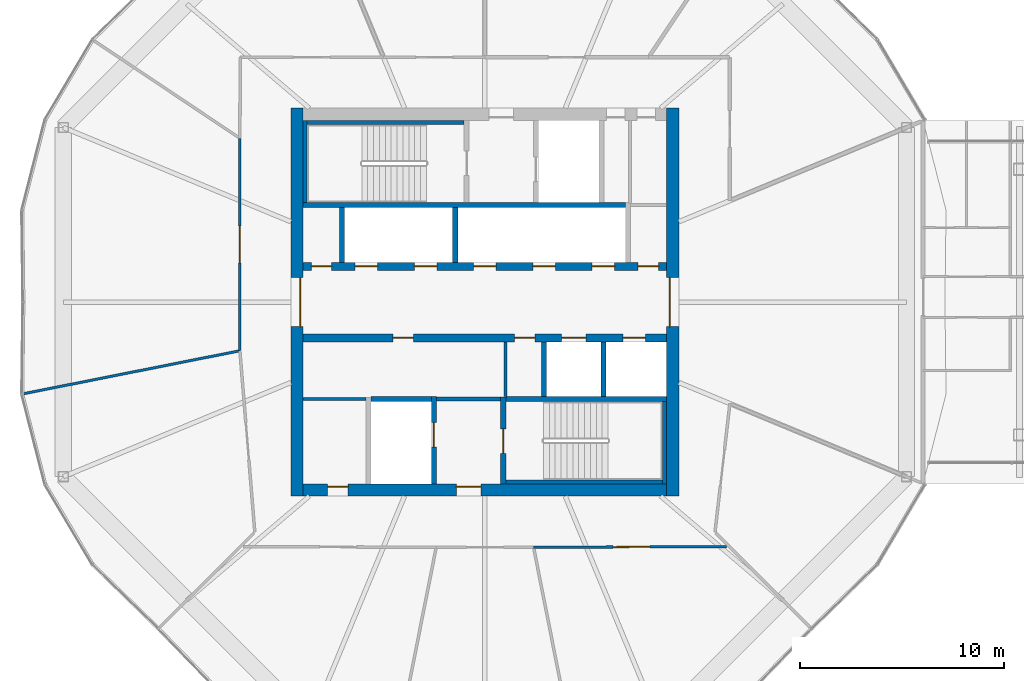
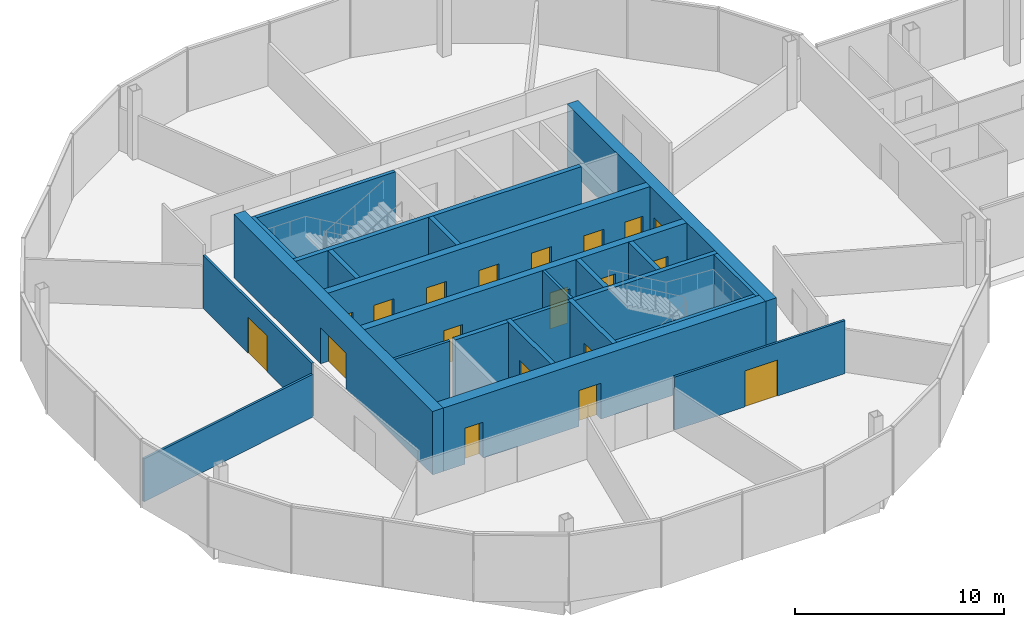
# One storey, part 20 of 26: 24 walls, 19 doors, 19 openings.
"""IFC4 building model written with IfcOpenShell, lengths in metres."""

from ifc_helpers import new_model, si_unit, direction, frame, frame_2d, origin, place, context, subcontext, project, spatial, rectangle, extrude, material, layer, layer_set, type_object, element, fill, save


model = new_model("IFC4")

# Units and contexts
model_context = context("Model", 3, precision=1e-05, world=origin(), true_north=direction((0.0, 1.0)))
body_context = subcontext(model_context, "Body", "Model", "MODEL_VIEW")
ifc_project = project(units=[si_unit("LENGTHUNIT", "METRE"), si_unit("AREAUNIT", "SQUARE_METRE"), si_unit("VOLUMEUNIT", "CUBIC_METRE"), si_unit("PLANEANGLEUNIT", "RADIAN"), si_unit("MASSUNIT", "GRAM", prefix="KILO")], contexts=[model_context])

# Site, building, storey
site_placement = place(None, origin())
site = spatial("IfcSite", under=ifc_project, at=site_placement, CompositionType="ELEMENT")
building_placement = place(site_placement, origin())
building = spatial("IfcBuilding", under=site, at=building_placement, Name="Ogive Gate Towers", CompositionType="ELEMENT")
storey_placement = place(building_placement, frame((0.0, 0.0, 148.800048828125)))
storey = spatial("IfcBuildingStorey", under=building, at=storey_placement, Name="L35", CompositionType="ELEMENT", Elevation=148.800048828125)

# Wall
ifc_material_1 = material(Name="Masonry blockwork", Category="masonry")
ifc_layer_1 = layer(ifc_material_1, 0.199951171875)
ifc_layer_set_1 = layer_set([ifc_layer_1], Name="Blockwork wall 200 mm")
wall_type_1 = type_object("IfcWallType", Name="Blockwork wall 200 mm", PredefinedType="PARTITIONING", material=ifc_layer_set_1)
wall_1_placement = place(storey_placement, frame((-38.375, -4.75, 0.0), z_axis=(0.0, 0.0, 1.0), x_axis=(1.0, 0.0, 0.0)))
element("IfcWall", 1, at=wall_1_placement, inside=storey, type_object=wall_type_1, Name="T1 L35 Blockwork wall 200 mm", PredefinedType="PARTITIONING", context=body_context, shape_type="SweptSolid", body=[
    extrude(rectangle(XDim=3.14990234375, YDim=0.199951171875, at=frame_2d((1.574951171875, 0.0))), origin(), (0.0, 0.0, 1.0), 3.699951171875),
])

# Wall, openings, doors
ifc_material_2 = material(Name="Concrete C60/75", Category="concrete")
ifc_layer_2 = layer(ifc_material_2, 0.60009765625)
ifc_layer_set_2 = layer_set([ifc_layer_2], Name="Core wall 600 mm")
wall_type_2 = type_object("IfcWallType", Name="Core wall 600 mm", PredefinedType="SHEAR", material=ifc_layer_set_2)
wall_2_placement = place(storey_placement, frame((-44.89990234375, -9.199951171875, 0.0), z_axis=(0.0, 0.0, 1.0), x_axis=(1.0, 0.0, 0.0)))
wall_2 = element("IfcWall", 2, at=wall_2_placement, inside=storey, type_object=wall_type_2, Name="T1 L35 Core wall 600 mm", PredefinedType="SHEAR", context=body_context, shape_type="SweptSolid", body=[
    extrude(rectangle(XDim=17.7998046875, YDim=0.60009765625, at=frame_2d((8.89990234375, 0.0))), origin(), (0.0, 0.0, 1.0), 3.699951171875),
])
opening_1_placement = place(wall_2_placement, frame((7.5, 0.0, 0.0)))
opening_1 = element("IfcOpeningElement", 3, at=opening_1_placement, cuts=wall_2, Name="Opening KD-T1-L35-19", PredefinedType="OPENING", context=body_context, shape_type="SweptSolid", body=[
    extrude(rectangle(XDim=1.199951171875, YDim=2.10009765625, at=frame_2d((0.60009765625, 1.050048828125))), frame((0.0, 0.31005859375, 0.0), z_axis=(0.0, -1.0, 0.0), x_axis=(1.0, 0.0, 0.0)), (0.0, 0.0, 1.0), 0.6201171875),
])
opening_2_placement = place(wall_2_placement, frame((1.199951171875, 0.0, 0.0)))
opening_2 = element("IfcOpeningElement", 4, at=opening_2_placement, cuts=wall_2, Name="Opening KD-T1-L35-22", PredefinedType="OPENING", context=body_context, shape_type="SweptSolid", body=[
    extrude(rectangle(XDim=1.0, YDim=2.10009765625, at=frame_2d((0.5, 1.050048828125))), frame((0.0, 0.31005859375, 0.0), z_axis=(0.0, -1.0, 0.0), x_axis=(1.0, 0.0, 0.0)), (0.0, 0.0, 1.0), 0.6201171875),
])
ifc_material_3 = material(Name="Timber door", Category="wood")
door_type_1 = type_object("IfcDoorType", Name="Accessible WC door 1000 x 2100", OperationType="NOTDEFINED", PredefinedType="DOOR", material=ifc_material_3)
door_1_placement = place(opening_2_placement, origin())
door_1 = element("IfcDoor", 5, at=door_1_placement, inside=storey, type_object=door_type_1, Name="T1 L35 Core door", OperationType="SINGLE_SWING_LEFT", OverallHeight=2.10009765625, OverallWidth=1.0, PredefinedType="DOOR", context=body_context, shape_type="SweptSolid", body=[
    extrude(rectangle(XDim=1.0, YDim=2.10009765625, at=frame_2d((0.5, 1.050048828125))), frame((0.0, 0.1748046875, 0.0), z_axis=(0.0, -1.0, 0.0), x_axis=(1.0, 0.0, 0.0)), (0.0, 0.0, 1.0), 0.050048828125),
])
fill(opening_2, door_1)
ifc_material_4 = material(Name="Steel fire door", Category="steel")
door_type_2 = type_object("IfcDoorType", Name="Core door FD60S 1200 x 2100", OperationType="NOTDEFINED", PredefinedType="DOOR", material=ifc_material_4)
door_2_placement = place(opening_1_placement, origin())
door_2 = element("IfcDoor", 6, at=door_2_placement, inside=storey, type_object=door_type_2, Name="T1 L35 Fire-fighting lobby door", OperationType="SINGLE_SWING_RIGHT", OverallHeight=2.10009765625, OverallWidth=1.199951171875, PredefinedType="DOOR", context=body_context, shape_type="SweptSolid", body=[
    extrude(rectangle(XDim=1.199951171875, YDim=2.10009765625, at=frame_2d((0.60009765625, 1.050048828125))), frame((0.0, 0.1748046875, 0.0), z_axis=(0.0, -1.0, 0.0), x_axis=(1.0, 0.0, 0.0)), (0.0, 0.0, 1.0), 0.050048828125),
])
fill(opening_1, door_2)

# Wall, opening, door
wall_3_placement = place(storey_placement, frame((-45.199951171875, -9.5, 0.0), z_axis=(0.0, 0.0, 1.0), x_axis=(0.0, 1.0, 0.0)))
wall_3 = element("IfcWall", 7, at=wall_3_placement, inside=storey, type_object=wall_type_2, Name="T1 L35 Core wall 600 mm", PredefinedType="SHEAR", context=body_context, shape_type="SweptSolid", body=[
    extrude(rectangle(XDim=19.0, YDim=0.60009765625, at=frame_2d((9.5, 0.0))), origin(), (0.0, 0.0, 1.0), 3.699951171875),
])
opening_3_placement = place(wall_3_placement, frame((8.300048828125, 0.0, 0.0)))
opening_3 = element("IfcOpeningElement", 8, at=opening_3_placement, cuts=wall_3, Name="Opening KD-T1-L35-01", PredefinedType="OPENING", context=body_context, shape_type="SweptSolid", body=[
    extrude(rectangle(XDim=2.39990234375, YDim=2.10009765625, at=frame_2d((1.199951171875, 1.050048828125))), frame((0.0, 0.31005859375, 0.0), z_axis=(0.0, -1.0, 0.0), x_axis=(1.0, 0.0, 0.0)), (0.0, 0.0, 1.0), 0.6201171875),
])
door_type_3 = type_object("IfcDoorType", Name="Core double door FD60S 2400 x 2100", OperationType="DOUBLE_DOOR_SINGLE_SWING", PredefinedType="DOOR", material=ifc_material_4)
door_3_placement = place(opening_3_placement, origin())
door_3 = element("IfcDoor", 9, at=door_3_placement, inside=storey, type_object=door_type_3, Name="T1 L35 Core door double", OperationType="DOUBLE_DOOR_SINGLE_SWING", OverallHeight=2.10009765625, OverallWidth=2.39990234375, PredefinedType="DOOR", context=body_context, shape_type="SweptSolid", body=[
    extrude(rectangle(XDim=2.39990234375, YDim=2.10009765625, at=frame_2d((1.199951171875, 1.050048828125))), frame((0.0, -0.125, 0.0), z_axis=(0.0, -1.0, 0.0), x_axis=(1.0, 0.0, 0.0)), (0.0, 0.0, 1.0), 0.050048828125),
])
fill(opening_3, door_3)

wall_4_placement = place(storey_placement, frame((-26.800048828125, -9.5, 0.0), z_axis=(0.0, 0.0, 1.0), x_axis=(0.0, 1.0, 0.0)))
wall_4 = element("IfcWall", 10, at=wall_4_placement, inside=storey, type_object=wall_type_2, Name="T1 L35 Core wall 600 mm", PredefinedType="SHEAR", context=body_context, shape_type="SweptSolid", body=[
    extrude(rectangle(XDim=19.0, YDim=0.60009765625, at=frame_2d((9.5, 0.0))), origin(), (0.0, 0.0, 1.0), 3.699951171875),
])
opening_4_placement = place(wall_4_placement, frame((8.300048828125, 0.0, 0.0)))
opening_4 = element("IfcOpeningElement", 11, at=opening_4_placement, cuts=wall_4, Name="Opening KD-T1-L35-02", PredefinedType="OPENING", context=body_context, shape_type="SweptSolid", body=[
    extrude(rectangle(XDim=2.39990234375, YDim=2.10009765625, at=frame_2d((1.199951171875, 1.050048828125))), frame((0.0, 0.31005859375, 0.0), z_axis=(0.0, -1.0, 0.0), x_axis=(1.0, 0.0, 0.0)), (0.0, 0.0, 1.0), 0.6201171875),
])
door_4_placement = place(opening_4_placement, origin())
door_4 = element("IfcDoor", 12, at=door_4_placement, inside=storey, type_object=door_type_3, Name="T1 L35 Core door double", OperationType="DOUBLE_DOOR_SINGLE_SWING", OverallHeight=2.10009765625, OverallWidth=2.39990234375, PredefinedType="DOOR", context=body_context, shape_type="SweptSolid", body=[
    extrude(rectangle(XDim=2.39990234375, YDim=2.10009765625, at=frame_2d((1.199951171875, 1.050048828125))), frame((0.0, 0.1748046875, 0.0), z_axis=(0.0, -1.0, 0.0), x_axis=(1.0, 0.0, 0.0)), (0.0, 0.0, 1.0), 0.050048828125),
])
fill(opening_4, door_4)

# Wall
ifc_material_5 = material(Name="Gypsum board partition")
ifc_layer_3 = layer(ifc_material_5, 0.125)
ifc_layer_set_3 = layer_set([ifc_layer_3], Name="Partition 125")
wall_type_3 = type_object("IfcWallType", Name="Partition 125", PredefinedType="PARTITIONING", material=ifc_layer_set_3)
wall_5_placement = place(storey_placement, frame((-58.57861328125, -4.483154296875, 0.0), z_axis=(0.0, 0.0, 1.0), x_axis=(0.980854593115, 0.194741539395, 0.0)))
element("IfcWall", 13, at=wall_5_placement, inside=storey, type_object=wall_type_3, Name="Partition T1-L35-006", PredefinedType="PARTITIONING", context=body_context, shape_type="SweptSolid", body=[
    extrude(rectangle(XDim=10.726318359375, YDim=0.125, at=frame_2d((5.36328125, 0.0))), origin(), (0.0, 0.0, 1.0), 2.5),
])

# Wall, opening, door
wall_6_placement = place(storey_placement, frame((-47.995849609375, 8.021240234375, 0.0), z_axis=(0.0, 0.0, 1.0), x_axis=(-4.6935136e-05, -0.999999998899, 0.0)))
wall_6 = element("IfcWall", 14, at=wall_6_placement, inside=storey, type_object=wall_type_3, Name="Partition T1-L35-018", PredefinedType="PARTITIONING", context=body_context, shape_type="SweptSolid", body=[
    extrude(rectangle(XDim=10.4033203125, YDim=0.125, at=frame_2d((5.20166015625, 0.0))), origin(), (0.0, 0.0, 1.0), 3.099853515625),
])
opening_5_placement = place(wall_6_placement, frame((4.302001953125, 0.0, 0.0)))
opening_5 = element("IfcOpeningElement", 15, at=opening_5_placement, cuts=wall_6, Name="Opening T1-L35-D05", PredefinedType="OPENING", context=body_context, shape_type="SweptSolid", body=[
    extrude(rectangle(XDim=1.800048828125, YDim=2.10009765625, at=frame_2d((0.89990234375, 1.050048828125))), frame((0.0, 0.072509765625, 0.0), z_axis=(0.0, -1.0, 0.0), x_axis=(1.0, 0.0, 0.0)), (0.0, 0.0, 1.0), 0.14501953125),
])
door_type_4 = type_object("IfcDoorType", Name="Door pair 1800", OperationType="NOTDEFINED", PredefinedType="DOOR", material=ifc_material_3)
door_5_placement = place(opening_5_placement, origin())
door_5 = element("IfcDoor", 16, at=door_5_placement, inside=storey, type_object=door_type_4, Name="Door T1-L35-D05", OperationType="DOUBLE_DOOR_DOUBLE_SWING", OverallHeight=2.10009765625, OverallWidth=1.800048828125, PredefinedType="DOOR", context=body_context, shape_type="SweptSolid", body=[
    extrude(rectangle(XDim=1.800048828125, YDim=2.10009765625, at=frame_2d((0.89990234375, 1.050048828125))), frame((0.0, 0.02490234375, 0.0), z_axis=(0.0, -1.0, 0.0), x_axis=(1.0, 0.0, 0.0)), (0.0, 0.0, 1.0), 0.050048828125),
])
fill(opening_5, door_5)

wall_7_placement = place(storey_placement, frame((-33.617919921875, -11.996337890625, 0.0), z_axis=(0.0, 0.0, 1.0), x_axis=(0.999998542451, 0.001707365061, 0.0)))
wall_7 = element("IfcWall", 17, at=wall_7_placement, inside=storey, type_object=wall_type_3, Name="Partition T1-L35-022", PredefinedType="PARTITIONING", context=body_context, shape_type="SweptSolid", body=[
    extrude(rectangle(XDim=9.4375, YDim=0.125, at=frame_2d((4.71875, 0.0))), origin(), (0.0, 0.0, 1.0), 3.099853515625),
])
opening_6_placement = place(wall_7_placement, frame((3.89892578125, 0.0, 0.0)))
opening_6 = element("IfcOpeningElement", 18, at=opening_6_placement, cuts=wall_7, Name="Opening T1-L35-D09", PredefinedType="OPENING", context=body_context, shape_type="SweptSolid", body=[
    extrude(rectangle(XDim=1.800048828125, YDim=2.10009765625, at=frame_2d((0.89990234375, 1.050048828125))), frame((0.0, 0.072509765625, 0.0), z_axis=(0.0, -1.0, 0.0), x_axis=(1.0, 0.0, 0.0)), (0.0, 0.0, 1.0), 0.14501953125),
])
door_6_placement = place(opening_6_placement, origin())
door_6 = element("IfcDoor", 19, at=door_6_placement, inside=storey, type_object=door_type_4, Name="Door T1-L35-D09", OperationType="DOUBLE_DOOR_DOUBLE_SWING", OverallHeight=2.10009765625, OverallWidth=1.800048828125, PredefinedType="DOOR", context=body_context, shape_type="SweptSolid", body=[
    extrude(rectangle(XDim=1.800048828125, YDim=2.10009765625, at=frame_2d((0.89990234375, 1.050048828125))), frame((0.0, 0.02490234375, 0.0), z_axis=(0.0, -1.0, 0.0), x_axis=(1.0, 0.0, 0.0)), (0.0, 0.0, 1.0), 0.050048828125),
])
fill(opening_6, door_6)

# Walls
ifc_layer_4 = layer(ifc_material_5, 0.14990234375)
ifc_layer_set_4 = layer_set([ifc_layer_4], Name="Room partition 150 mm")
wall_type_4 = type_object("IfcWallType", Name="Room partition 150 mm", PredefinedType="PARTITIONING", material=ifc_layer_set_4)
wall_8_placement = place(storey_placement, frame((-44.89990234375, -4.75, 0.0), z_axis=(0.0, 0.0, 1.0), x_axis=(1.0, 0.0, 0.0)))
element("IfcWall", 20, at=wall_8_placement, inside=storey, type_object=wall_type_4, Name="T1 L35 Room partition 150 mm", PredefinedType="PARTITIONING", context=body_context, shape_type="SweptSolid", body=[
    extrude(rectangle(XDim=3.074951171875, YDim=0.14990234375, at=frame_2d((1.53759765625, 0.0))), origin(), (0.0, 0.0, 1.0), 3.699951171875),
])
wall_9_placement = place(storey_placement, frame((-35.0, -4.625, 0.0), z_axis=(0.0, 0.0, 1.0), x_axis=(0.0, 1.0, 0.0)))
element("IfcWall", 21, at=wall_9_placement, inside=storey, type_object=wall_type_4, Name="T1 L35 Room partition 150 mm", PredefinedType="PARTITIONING", context=body_context, shape_type="SweptSolid", body=[
    extrude(rectangle(XDim=2.675048828125, YDim=0.14990234375, at=frame_2d((1.33740234375, 0.0))), origin(), (0.0, 0.0, 1.0), 3.699951171875),
])
ifc_layer_5 = layer(ifc_material_2, 0.25)
ifc_layer_set_5 = layer_set([ifc_layer_5], Name="Shaft wall 250 mm")
wall_type_5 = type_object("IfcWallType", Name="Shaft wall 250 mm", PredefinedType="SHEAR", material=ifc_layer_set_5)
wall_10_placement = place(storey_placement, frame((-41.574951171875, -4.75, 0.0), z_axis=(0.0, 0.0, 1.0), x_axis=(1.0, 0.0, 0.0)))
element("IfcWall", 22, at=wall_10_placement, inside=storey, type_object=wall_type_5, Name="T1 L35 Shaft wall 250 mm", PredefinedType="SHEAR", context=body_context, shape_type="SweptSolid", body=[
    extrude(rectangle(XDim=2.949951171875, YDim=0.25, at=frame_2d((1.47509765625, 0.0))), origin(), (0.0, 0.0, 1.0), 3.699951171875),
])
wall_11_placement = place(storey_placement, frame((-34.97509765625, -4.75, 0.0), z_axis=(0.0, 0.0, 1.0), x_axis=(1.0, 0.0, 0.0)))
element("IfcWall", 23, at=wall_11_placement, inside=storey, type_object=wall_type_5, Name="T1 L35 Shaft wall 250 mm", PredefinedType="SHEAR", context=body_context, shape_type="SweptSolid", body=[
    extrude(rectangle(XDim=7.875, YDim=0.25, at=frame_2d((3.9375, 0.0))), origin(), (0.0, 0.0, 1.0), 3.699951171875),
])
wall_12_placement = place(storey_placement, frame((-44.89990234375, 4.75, 0.0), z_axis=(0.0, 0.0, 1.0), x_axis=(1.0, 0.0, 0.0)))
element("IfcWall", 24, at=wall_12_placement, inside=storey, type_object=wall_type_5, Name="T1 L35 Shaft wall 250 mm", PredefinedType="SHEAR", context=body_context, shape_type="SweptSolid", body=[
    extrude(rectangle(XDim=15.77490234375, YDim=0.25, at=frame_2d((7.887451171875, 0.0))), origin(), (0.0, 0.0, 1.0), 3.699951171875),
])
wall_13_placement = place(storey_placement, frame((-43.0, 1.949951171875, 0.0), z_axis=(0.0, 0.0, 1.0), x_axis=(0.0, 1.0, 0.0)))
element("IfcWall", 25, at=wall_13_placement, inside=storey, type_object=wall_type_5, Name="T1 L35 Shaft wall 250 mm", PredefinedType="SHEAR", context=body_context, shape_type="SweptSolid", body=[
    extrude(rectangle(XDim=2.675048828125, YDim=0.25, at=frame_2d((1.33740234375, 0.0))), origin(), (0.0, 0.0, 1.0), 3.699951171875),
])

# Wall, opening, door
wall_14_placement = place(storey_placement, frame((-38.5, -8.89990234375, 0.0), z_axis=(0.0, 0.0, 1.0), x_axis=(0.0, 1.0, 0.0)))
wall_14 = element("IfcWall", 26, at=wall_14_placement, inside=storey, type_object=wall_type_5, Name="T1 L35 Shaft wall 250 mm", PredefinedType="SHEAR", context=body_context, shape_type="SweptSolid", body=[
    extrude(rectangle(XDim=4.27490234375, YDim=0.25, at=frame_2d((2.137451171875, 0.0))), origin(), (0.0, 0.0, 1.0), 3.699951171875),
])
opening_7_placement = place(wall_14_placement, frame((1.800048828125, 0.0, 0.0)))
opening_7 = element("IfcOpeningElement", 27, at=opening_7_placement, cuts=wall_14, Name="Opening LD-T1-L35-13", PredefinedType="OPENING", context=body_context, shape_type="SweptSolid", body=[
    extrude(rectangle(XDim=1.199951171875, YDim=2.10009765625, at=frame_2d((0.60009765625, 1.050048828125))), frame((0.0, 0.135009765625, 0.0), z_axis=(0.0, -1.0, 0.0), x_axis=(1.0, 0.0, 0.0)), (0.0, 0.0, 1.0), 0.27001953125),
])
ifc_material_6 = material(Name="Stainless steel landing door", Category="steel")
door_type_5 = type_object("IfcDoorType", Name="Landing door 1200 x 2100", OperationType="SLIDING_TO_LEFT", PredefinedType="DOOR", material=ifc_material_6)
door_7_placement = place(opening_7_placement, origin())
door_7 = element("IfcDoor", 28, at=door_7_placement, inside=storey, type_object=door_type_5, Name="T1 L35 Lift landing door FF2", OperationType="SLIDING_TO_LEFT", OverallHeight=2.10009765625, OverallWidth=1.199951171875, PredefinedType="DOOR", context=body_context, shape_type="SweptSolid", body=[
    extrude(rectangle(XDim=1.199951171875, YDim=2.10009765625, at=frame_2d((0.60009765625, 1.050048828125))), frame((0.0, 0.02490234375, 0.0), z_axis=(0.0, -1.0, 0.0), x_axis=(1.0, 0.0, 0.0)), (0.0, 0.0, 1.0), 0.050048828125),
])
fill(opening_7, door_7)

# Wall
wall_15_placement = place(storey_placement, frame((-37.449951171875, 1.949951171875, 0.0), z_axis=(0.0, 0.0, 1.0), x_axis=(0.0, 1.0, 0.0)))
element("IfcWall", 29, at=wall_15_placement, inside=storey, type_object=wall_type_5, Name="T1 L35 Shaft wall 250 mm", PredefinedType="SHEAR", context=body_context, shape_type="SweptSolid", body=[
    extrude(rectangle(XDim=2.675048828125, YDim=0.25, at=frame_2d((1.33740234375, 0.0))), origin(), (0.0, 0.0, 1.0), 3.699951171875),
])

# Wall, opening, door
wall_16_placement = place(storey_placement, frame((-35.10009765625, -8.89990234375, 0.0), z_axis=(0.0, 0.0, 1.0), x_axis=(0.0, 1.0, 0.0)))
wall_16 = element("IfcWall", 30, at=wall_16_placement, inside=storey, type_object=wall_type_5, Name="T1 L35 Shaft wall 250 mm", PredefinedType="SHEAR", context=body_context, shape_type="SweptSolid", body=[
    extrude(rectangle(XDim=4.25, YDim=0.25, at=frame_2d((2.125, 0.0))), origin(), (0.0, 0.0, 1.0), 3.699951171875),
])
opening_8_placement = place(wall_16_placement, frame((1.5, 0.0, 0.0)))
opening_8 = element("IfcOpeningElement", 31, at=opening_8_placement, cuts=wall_16, Name="Opening KD-T1-L35-17", PredefinedType="OPENING", context=body_context, shape_type="SweptSolid", body=[
    extrude(rectangle(XDim=1.199951171875, YDim=2.10009765625, at=frame_2d((0.60009765625, 1.050048828125))), frame((0.0, 0.135009765625, 0.0), z_axis=(0.0, -1.0, 0.0), x_axis=(1.0, 0.0, 0.0)), (0.0, 0.0, 1.0), 0.27001953125),
])
door_8_placement = place(opening_8_placement, origin())
door_8 = element("IfcDoor", 32, at=door_8_placement, inside=storey, type_object=door_type_2, Name="T1 L35 Stair door", OperationType="SINGLE_SWING_RIGHT", OverallHeight=2.10009765625, OverallWidth=1.199951171875, PredefinedType="DOOR", context=body_context, shape_type="SweptSolid", body=[
    extrude(rectangle(XDim=1.199951171875, YDim=2.10009765625, at=frame_2d((0.60009765625, 1.050048828125))), frame((0.0, 0.02490234375, 0.0), z_axis=(0.0, -1.0, 0.0), x_axis=(1.0, 0.0, 0.0)), (0.0, 0.0, 1.0), 0.050048828125),
])
fill(opening_8, door_8)

# Walls
for number, where, z_axis, x_axis, name in (
    (33, (-33.10009765625, -4.625, 0.0), (0.0, 0.0, 1.0), (0.0, 1.0, 0.0), "T1 L35 Shaft wall 250 mm"),
    (34, (-30.199951171875, -4.625, 0.0), (0.0, 0.0, 1.0), (0.0, 1.0, 0.0), "T1 L35 Shaft wall 250 mm"),
):
    element("IfcWall", number, at=place(storey_placement, frame(where, z_axis=z_axis, x_axis=x_axis)), inside=storey, type_object=wall_type_5, Name=name, PredefinedType="SHEAR", context=body_context, shape_type="SweptSolid", body=[
        extrude(rectangle(XDim=2.675048828125, YDim=0.25, at=frame_2d((1.33740234375, 0.0))), origin(), (0.0, 0.0, 1.0), 3.699951171875),
    ])

# Wall, openings, doors
ifc_layer_6 = layer(ifc_material_2, 0.39990234375)
ifc_layer_set_6 = layer_set([ifc_layer_6], Name="Spine wall 400 mm")
wall_type_6 = type_object("IfcWallType", Name="Spine wall 400 mm", PredefinedType="SHEAR", material=ifc_layer_set_6)
wall_17_placement = place(storey_placement, frame((-44.89990234375, -1.75, 0.0), z_axis=(0.0, 0.0, 1.0), x_axis=(1.0, 0.0, 0.0)))
wall_17 = element("IfcWall", 35, at=wall_17_placement, inside=storey, type_object=wall_type_6, Name="T1 L35 Spine wall 400 mm", PredefinedType="SHEAR", context=body_context, shape_type="SweptSolid", body=[
    extrude(rectangle(XDim=17.7998046875, YDim=0.39990234375, at=frame_2d((8.89990234375, 0.0))), origin(), (0.0, 0.0, 1.0), 3.699951171875),
])
opening_9_placement = place(wall_17_placement, frame((12.64990234375, 0.0, 0.0)))
opening_9 = element("IfcOpeningElement", 36, at=opening_9_placement, cuts=wall_17, Name="Opening LD-T1-L35-10", PredefinedType="OPENING", context=body_context, shape_type="SweptSolid", body=[
    extrude(rectangle(XDim=1.199951171875, YDim=2.10009765625, at=frame_2d((0.60009765625, 1.050048828125))), frame((0.0, 0.2099609375, 0.0), z_axis=(0.0, -1.0, 0.0), x_axis=(1.0, 0.0, 0.0)), (0.0, 0.0, 1.0), 0.419921875),
])
opening_10_placement = place(wall_17_placement, frame((15.64990234375, 0.0, 0.0)))
opening_10 = element("IfcOpeningElement", 37, at=opening_10_placement, cuts=wall_17, Name="Opening LD-T1-L35-11", PredefinedType="OPENING", context=body_context, shape_type="SweptSolid", body=[
    extrude(rectangle(XDim=1.10009765625, YDim=2.10009765625, at=frame_2d((0.550048828125, 1.050048828125))), frame((0.0, 0.2099609375, 0.0), z_axis=(0.0, -1.0, 0.0), x_axis=(1.0, 0.0, 0.0)), (0.0, 0.0, 1.0), 0.419921875),
])
opening_11_placement = place(wall_17_placement, frame((4.39990234375, 0.0, 0.0)))
opening_11 = element("IfcOpeningElement", 38, at=opening_11_placement, cuts=wall_17, Name="Opening KD-T1-L35-14", PredefinedType="OPENING", context=body_context, shape_type="SweptSolid", body=[
    extrude(rectangle(XDim=1.0, YDim=2.10009765625, at=frame_2d((0.5, 1.050048828125))), frame((0.0, 0.2099609375, 0.0), z_axis=(0.0, -1.0, 0.0), x_axis=(1.0, 0.0, 0.0)), (0.0, 0.0, 1.0), 0.419921875),
])
opening_12_placement = place(wall_17_placement, frame((10.35009765625, 0.0, 0.0)))
opening_12 = element("IfcOpeningElement", 39, at=opening_12_placement, cuts=wall_17, Name="Opening KD-T1-L35-15", PredefinedType="OPENING", context=body_context, shape_type="SweptSolid", body=[
    extrude(rectangle(XDim=1.0, YDim=2.10009765625, at=frame_2d((0.5, 1.050048828125))), frame((0.0, 0.2099609375, 0.0), z_axis=(0.0, -1.0, 0.0), x_axis=(1.0, 0.0, 0.0)), (0.0, 0.0, 1.0), 0.419921875),
])
door_type_6 = type_object("IfcDoorType", Name="Core door FD60S 1000 x 2100", OperationType="NOTDEFINED", PredefinedType="DOOR", material=ifc_material_4)
door_9_placement = place(opening_11_placement, origin())
door_9 = element("IfcDoor", 40, at=door_9_placement, inside=storey, type_object=door_type_6, Name="T1 L35 Core door", OperationType="SINGLE_SWING_LEFT", OverallHeight=2.10009765625, OverallWidth=1.0, PredefinedType="DOOR", context=body_context, shape_type="SweptSolid", body=[
    extrude(rectangle(XDim=1.0, YDim=2.10009765625, at=frame_2d((0.5, 1.050048828125))), frame((0.0, 0.02490234375, 0.0), z_axis=(0.0, -1.0, 0.0), x_axis=(1.0, 0.0, 0.0)), (0.0, 0.0, 1.0), 0.050048828125),
])
fill(opening_11, door_9)
door_10_placement = place(opening_12_placement, origin())
door_10 = element("IfcDoor", 41, at=door_10_placement, inside=storey, type_object=door_type_6, Name="T1 L35 Core door", OperationType="SINGLE_SWING_RIGHT", OverallHeight=2.10009765625, OverallWidth=1.0, PredefinedType="DOOR", context=body_context, shape_type="SweptSolid", body=[
    extrude(rectangle(XDim=1.0, YDim=2.10009765625, at=frame_2d((0.5, 1.050048828125))), frame((0.0, 0.02490234375, 0.0), z_axis=(0.0, -1.0, 0.0), x_axis=(1.0, 0.0, 0.0)), (0.0, 0.0, 1.0), 0.050048828125),
])
fill(opening_12, door_10)
door_type_7 = type_object("IfcDoorType", Name="Landing door 1100 x 2100", OperationType="SLIDING_TO_LEFT", PredefinedType="DOOR", material=ifc_material_6)
door_11_placement = place(opening_10_placement, origin())
door_11 = element("IfcDoor", 42, at=door_11_placement, inside=storey, type_object=door_type_7, Name="T1 L35 Lift landing door B6", OperationType="SLIDING_TO_LEFT", OverallHeight=2.10009765625, OverallWidth=1.10009765625, PredefinedType="DOOR", context=body_context, shape_type="SweptSolid", body=[
    extrude(rectangle(XDim=1.10009765625, YDim=2.10009765625, at=frame_2d((0.550048828125, 1.050048828125))), frame((0.0, 0.02490234375, 0.0), z_axis=(0.0, -1.0, 0.0), x_axis=(1.0, 0.0, 0.0)), (0.0, 0.0, 1.0), 0.050048828125),
])
fill(opening_10, door_11)
door_12_placement = place(opening_9_placement, origin())
door_12 = element("IfcDoor", 43, at=door_12_placement, inside=storey, type_object=door_type_5, Name="T1 L35 Lift landing door SVC", OperationType="SLIDING_TO_LEFT", OverallHeight=2.10009765625, OverallWidth=1.199951171875, PredefinedType="DOOR", context=body_context, shape_type="SweptSolid", body=[
    extrude(rectangle(XDim=1.199951171875, YDim=2.10009765625, at=frame_2d((0.60009765625, 1.050048828125))), frame((0.0, 0.02490234375, 0.0), z_axis=(0.0, -1.0, 0.0), x_axis=(1.0, 0.0, 0.0)), (0.0, 0.0, 1.0), 0.050048828125),
])
fill(opening_9, door_12)

wall_18_placement = place(storey_placement, frame((-44.89990234375, 1.75, 0.0), z_axis=(0.0, 0.0, 1.0), x_axis=(1.0, 0.0, 0.0)))
wall_18 = element("IfcWall", 44, at=wall_18_placement, inside=storey, type_object=wall_type_6, Name="T1 L35 Spine wall 400 mm", PredefinedType="SHEAR", context=body_context, shape_type="SweptSolid", body=[
    extrude(rectangle(XDim=17.7998046875, YDim=0.39990234375, at=frame_2d((8.89990234375, 0.0))), origin(), (0.0, 0.0, 1.0), 3.699951171875),
])
opening_13_placement = place(wall_18_placement, frame((0.39990234375, 0.0, 0.0)))
opening_13 = element("IfcOpeningElement", 45, at=opening_13_placement, cuts=wall_18, Name="Opening KD-T1-L35-03", PredefinedType="OPENING", context=body_context, shape_type="SweptSolid", body=[
    extrude(rectangle(XDim=1.0, YDim=2.10009765625, at=frame_2d((0.5, 1.050048828125))), frame((0.0, 0.2099609375, 0.0), z_axis=(0.0, -1.0, 0.0), x_axis=(1.0, 0.0, 0.0)), (0.0, 0.0, 1.0), 0.419921875),
])
opening_14_placement = place(wall_18_placement, frame((2.550048828125, 0.0, 0.0)))
opening_14 = element("IfcOpeningElement", 46, at=opening_14_placement, cuts=wall_18, Name="Opening LD-T1-L35-04", PredefinedType="OPENING", context=body_context, shape_type="SweptSolid", body=[
    extrude(rectangle(XDim=1.10009765625, YDim=2.10009765625, at=frame_2d((0.550048828125, 1.050048828125))), frame((0.0, 0.2099609375, 0.0), z_axis=(0.0, -1.0, 0.0), x_axis=(1.0, 0.0, 0.0)), (0.0, 0.0, 1.0), 0.419921875),
])
opening_15_placement = place(wall_18_placement, frame((5.449951171875, 0.0, 0.0)))
opening_15 = element("IfcOpeningElement", 47, at=opening_15_placement, cuts=wall_18, Name="Opening LD-T1-L35-05", PredefinedType="OPENING", context=body_context, shape_type="SweptSolid", body=[
    extrude(rectangle(XDim=1.10009765625, YDim=2.10009765625, at=frame_2d((0.550048828125, 1.050048828125))), frame((0.0, 0.2099609375, 0.0), z_axis=(0.0, -1.0, 0.0), x_axis=(1.0, 0.0, 0.0)), (0.0, 0.0, 1.0), 0.419921875),
])
opening_16_placement = place(wall_18_placement, frame((8.35009765625, 0.0, 0.0)))
opening_16 = element("IfcOpeningElement", 48, at=opening_16_placement, cuts=wall_18, Name="Opening LD-T1-L35-06", PredefinedType="OPENING", context=body_context, shape_type="SweptSolid", body=[
    extrude(rectangle(XDim=1.10009765625, YDim=2.10009765625, at=frame_2d((0.550048828125, 1.050048828125))), frame((0.0, 0.2099609375, 0.0), z_axis=(0.0, -1.0, 0.0), x_axis=(1.0, 0.0, 0.0)), (0.0, 0.0, 1.0), 0.419921875),
])
opening_17_placement = place(wall_18_placement, frame((11.25, 0.0, 0.0)))
opening_17 = element("IfcOpeningElement", 49, at=opening_17_placement, cuts=wall_18, Name="Opening LD-T1-L35-07", PredefinedType="OPENING", context=body_context, shape_type="SweptSolid", body=[
    extrude(rectangle(XDim=1.10009765625, YDim=2.10009765625, at=frame_2d((0.550048828125, 1.050048828125))), frame((0.0, 0.2099609375, 0.0), z_axis=(0.0, -1.0, 0.0), x_axis=(1.0, 0.0, 0.0)), (0.0, 0.0, 1.0), 0.419921875),
])
opening_18_placement = place(wall_18_placement, frame((14.14990234375, 0.0, 0.0)))
opening_18 = element("IfcOpeningElement", 50, at=opening_18_placement, cuts=wall_18, Name="Opening LD-T1-L35-08", PredefinedType="OPENING", context=body_context, shape_type="SweptSolid", body=[
    extrude(rectangle(XDim=1.10009765625, YDim=2.10009765625, at=frame_2d((0.550048828125, 1.050048828125))), frame((0.0, 0.2099609375, 0.0), z_axis=(0.0, -1.0, 0.0), x_axis=(1.0, 0.0, 0.0)), (0.0, 0.0, 1.0), 0.419921875),
])
opening_19_placement = place(wall_18_placement, frame((16.39990234375, 0.0, 0.0)))
opening_19 = element("IfcOpeningElement", 51, at=opening_19_placement, cuts=wall_18, Name="Opening KD-T1-L35-09", PredefinedType="OPENING", context=body_context, shape_type="SweptSolid", body=[
    extrude(rectangle(XDim=1.0, YDim=2.10009765625, at=frame_2d((0.5, 1.050048828125))), frame((0.0, 0.2099609375, 0.0), z_axis=(0.0, -1.0, 0.0), x_axis=(1.0, 0.0, 0.0)), (0.0, 0.0, 1.0), 0.419921875),
])
door_13_placement = place(opening_13_placement, origin())
door_13 = element("IfcDoor", 52, at=door_13_placement, inside=storey, type_object=door_type_6, Name="T1 L35 Core door", OperationType="SINGLE_SWING_RIGHT", OverallHeight=2.10009765625, OverallWidth=1.0, PredefinedType="DOOR", context=body_context, shape_type="SweptSolid", body=[
    extrude(rectangle(XDim=1.0, YDim=2.10009765625, at=frame_2d((0.5, 1.050048828125))), frame((0.0, 0.02490234375, 0.0), z_axis=(0.0, -1.0, 0.0), x_axis=(1.0, 0.0, 0.0)), (0.0, 0.0, 1.0), 0.050048828125),
])
fill(opening_13, door_13)
door_14_placement = place(opening_19_placement, origin())
door_14 = element("IfcDoor", 53, at=door_14_placement, inside=storey, type_object=door_type_6, Name="T1 L35 Core door", OperationType="SINGLE_SWING_RIGHT", OverallHeight=2.10009765625, OverallWidth=1.0, PredefinedType="DOOR", context=body_context, shape_type="SweptSolid", body=[
    extrude(rectangle(XDim=1.0, YDim=2.10009765625, at=frame_2d((0.5, 1.050048828125))), frame((0.0, 0.02490234375, 0.0), z_axis=(0.0, -1.0, 0.0), x_axis=(1.0, 0.0, 0.0)), (0.0, 0.0, 1.0), 0.050048828125),
])
fill(opening_19, door_14)
door_15_placement = place(opening_14_placement, origin())
door_15 = element("IfcDoor", 54, at=door_15_placement, inside=storey, type_object=door_type_7, Name="T1 L35 Lift landing door B1", OperationType="SLIDING_TO_LEFT", OverallHeight=2.10009765625, OverallWidth=1.10009765625, PredefinedType="DOOR", context=body_context, shape_type="SweptSolid", body=[
    extrude(rectangle(XDim=1.10009765625, YDim=2.10009765625, at=frame_2d((0.550048828125, 1.050048828125))), frame((0.0, 0.02490234375, 0.0), z_axis=(0.0, -1.0, 0.0), x_axis=(1.0, 0.0, 0.0)), (0.0, 0.0, 1.0), 0.050048828125),
])
fill(opening_14, door_15)
door_16_placement = place(opening_15_placement, origin())
door_16 = element("IfcDoor", 55, at=door_16_placement, inside=storey, type_object=door_type_7, Name="T1 L35 Lift landing door B2", OperationType="SLIDING_TO_LEFT", OverallHeight=2.10009765625, OverallWidth=1.10009765625, PredefinedType="DOOR", context=body_context, shape_type="SweptSolid", body=[
    extrude(rectangle(XDim=1.10009765625, YDim=2.10009765625, at=frame_2d((0.550048828125, 1.050048828125))), frame((0.0, 0.02490234375, 0.0), z_axis=(0.0, -1.0, 0.0), x_axis=(1.0, 0.0, 0.0)), (0.0, 0.0, 1.0), 0.050048828125),
])
fill(opening_15, door_16)
door_17_placement = place(opening_16_placement, origin())
door_17 = element("IfcDoor", 56, at=door_17_placement, inside=storey, type_object=door_type_7, Name="T1 L35 Lift landing door B3", OperationType="SLIDING_TO_LEFT", OverallHeight=2.10009765625, OverallWidth=1.10009765625, PredefinedType="DOOR", context=body_context, shape_type="SweptSolid", body=[
    extrude(rectangle(XDim=1.10009765625, YDim=2.10009765625, at=frame_2d((0.550048828125, 1.050048828125))), frame((0.0, 0.02490234375, 0.0), z_axis=(0.0, -1.0, 0.0), x_axis=(1.0, 0.0, 0.0)), (0.0, 0.0, 1.0), 0.050048828125),
])
fill(opening_16, door_17)
door_18_placement = place(opening_17_placement, origin())
door_18 = element("IfcDoor", 57, at=door_18_placement, inside=storey, type_object=door_type_7, Name="T1 L35 Lift landing door B4", OperationType="SLIDING_TO_LEFT", OverallHeight=2.10009765625, OverallWidth=1.10009765625, PredefinedType="DOOR", context=body_context, shape_type="SweptSolid", body=[
    extrude(rectangle(XDim=1.10009765625, YDim=2.10009765625, at=frame_2d((0.550048828125, 1.050048828125))), frame((0.0, 0.02490234375, 0.0), z_axis=(0.0, -1.0, 0.0), x_axis=(1.0, 0.0, 0.0)), (0.0, 0.0, 1.0), 0.050048828125),
])
fill(opening_17, door_18)
door_19_placement = place(opening_18_placement, origin())
door_19 = element("IfcDoor", 58, at=door_19_placement, inside=storey, type_object=door_type_7, Name="T1 L35 Lift landing door B5", OperationType="SLIDING_TO_LEFT", OverallHeight=2.10009765625, OverallWidth=1.10009765625, PredefinedType="DOOR", context=body_context, shape_type="SweptSolid", body=[
    extrude(rectangle(XDim=1.10009765625, YDim=2.10009765625, at=frame_2d((0.550048828125, 1.050048828125))), frame((0.0, 0.02490234375, 0.0), z_axis=(0.0, -1.0, 0.0), x_axis=(1.0, 0.0, 0.0)), (0.0, 0.0, 1.0), 0.050048828125),
])
fill(opening_18, door_19)

# Walls
ifc_layer_7 = layer(ifc_material_2, 0.199951171875)
ifc_layer_set_7 = layer_set([ifc_layer_7], Name="Stair wall 200 mm")
wall_type_7 = type_object("IfcWallType", Name="Stair wall 200 mm", PredefinedType="SHEAR", material=ifc_layer_set_7)
for number, where, z_axis, x_axis, name in (
    (59, (-34.97509765625, -8.800048828125, 0.0), (0.0, 0.0, 1.0), (1.0, 0.0, 0.0), "T1 L35 Stair wall 200 mm"),
    (60, (-44.699951171875, 8.800048828125, 0.0), (0.0, 0.0, 1.0), (1.0, 0.0, 0.0), "T1 L35 Stair wall 200 mm"),
):
    element("IfcWall", number, at=place(storey_placement, frame(where, z_axis=z_axis, x_axis=x_axis)), inside=storey, type_object=wall_type_7, Name=name, PredefinedType="SHEAR", context=body_context, shape_type="SweptSolid", body=[
        extrude(rectangle(XDim=7.675048828125, YDim=0.199951171875, at=frame_2d((3.83740234375, 0.0))), origin(), (0.0, 0.0, 1.0), 3.699951171875),
    ])
for number, where, z_axis, x_axis, name in (
    (61, (-44.800048828125, 4.875, 0.0), (0.0, 0.0, 1.0), (0.0, 1.0, 0.0), "T1 L35 Stair wall 200 mm"),
    (62, (-27.199951171875, -8.89990234375, 0.0), (0.0, 0.0, 1.0), (0.0, 1.0, 0.0), "T1 L35 Stair wall 200 mm"),
):
    element("IfcWall", number, at=place(storey_placement, frame(where, z_axis=z_axis, x_axis=x_axis)), inside=storey, type_object=wall_type_7, Name=name, PredefinedType="SHEAR", context=body_context, shape_type="SweptSolid", body=[
        extrude(rectangle(XDim=4.02490234375, YDim=0.199951171875, at=frame_2d((2.012451171875, 0.0))), origin(), (0.0, 0.0, 1.0), 3.699951171875),
    ])

save(model, "model.ifc")
